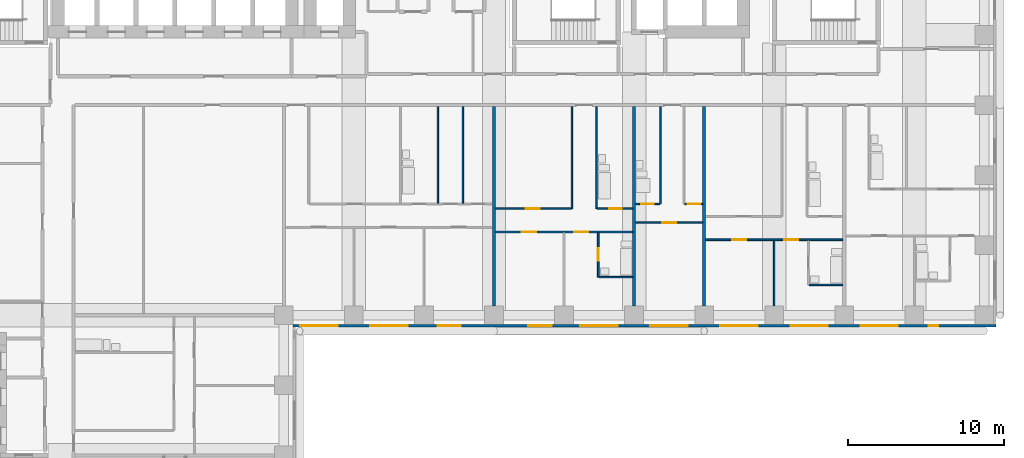
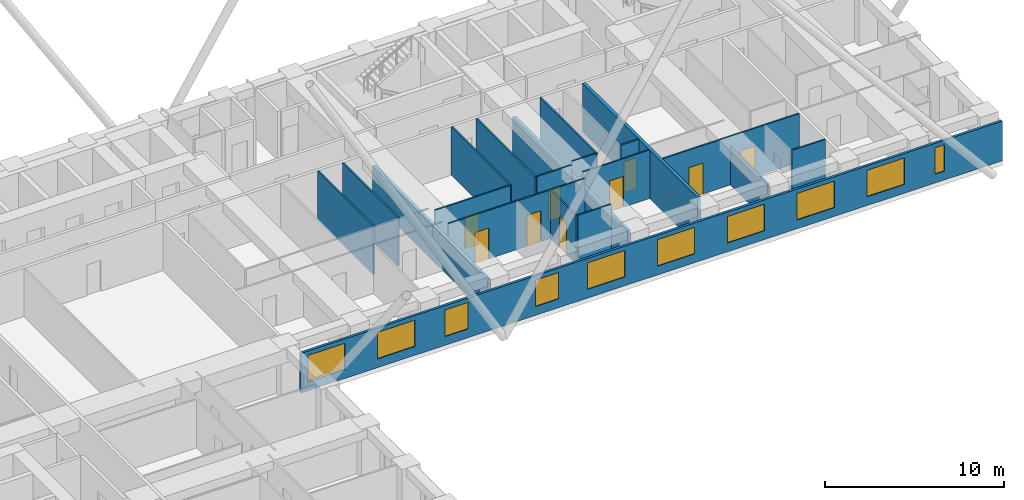
# One storey, part 7 of 13: 20 walls, 10 doors, 10 windows, 20 openings.
"""IFC4 building model written with IfcOpenShell, lengths in metres."""

from ifc_helpers import new_model, si_unit, direction, frame, frame_2d, origin, place, context, subcontext, project, spatial, rectangle, extrude, material, layer, layer_set, type_object, element, fill, save


model = new_model("IFC4")

# Units and contexts
model_context = context("Model", 3, precision=1e-05, world=origin(), true_north=direction((0.0, 1.0)))
body_context = subcontext(model_context, "Body", "Model", "MODEL_VIEW")
ifc_project = project(units=[si_unit("LENGTHUNIT", "METRE"), si_unit("AREAUNIT", "SQUARE_METRE"), si_unit("VOLUMEUNIT", "CUBIC_METRE"), si_unit("PLANEANGLEUNIT", "RADIAN"), si_unit("MASSUNIT", "GRAM", prefix="KILO")], contexts=[model_context])

# Site, building, storey
site_placement = place(None, origin())
site = spatial("IfcSite", under=ifc_project, at=site_placement, CompositionType="ELEMENT")
building_placement = place(site_placement, origin())
building = spatial("IfcBuilding", under=site, at=building_placement, Name="Firuza Court", CompositionType="ELEMENT")
storey_placement = place(building_placement, frame((0.0, 0.0, 72.199951171875)))
storey = spatial("IfcBuildingStorey", under=building, at=storey_placement, Name="L17", CompositionType="ELEMENT", Elevation=72.199951171875)

# Wall
ifc_material_1 = material(Name="Moisture-resistant gypsum board partition")
ifc_layer_1 = layer(ifc_material_1, 0.10009765625)
ifc_layer_set_1 = layer_set([ifc_layer_1], Name="Moisture-resistant gypsum board partition")
wall_type_1 = type_object("IfcWallType", Name="Bathroom partition 100", PredefinedType="PLUMBINGWALL", material=ifc_layer_set_1)
wall_1_placement = place(storey_placement, frame((56.25, 37.949951171875, 0.0), z_axis=(0.0, 0.0, 1.0), x_axis=(1.0, 0.0, 0.0)))
element("IfcWall", 1, at=wall_1_placement, inside=storey, type_object=wall_type_1, Name="Bathroom partition 100 L17", PredefinedType="PLUMBINGWALL", context=body_context, shape_type="SweptSolid", body=[
    extrude(rectangle(XDim=2.14990234375, YDim=0.10009765625, at=frame_2d((1.074951171875, 0.0))), origin(), (0.0, 0.0, 1.0), 3.300048828125),
])

# Wall, opening, door
wall_2_placement = place(storey_placement, frame((42.699951171875, 38.449951171875, 0.0), z_axis=(0.0, 0.0, 1.0), x_axis=(0.0, 1.0, 0.0)))
wall_2 = element("IfcWall", 2, at=wall_2_placement, inside=storey, type_object=wall_type_1, Name="Bathroom partition 100 L17", PredefinedType="PLUMBINGWALL", context=body_context, shape_type="SweptSolid", body=[
    extrude(rectangle(XDim=2.85009765625, YDim=0.10009765625, at=frame_2d((1.425048828125, 0.0))), origin(), (0.0, 0.0, 1.0), 3.300048828125),
])
opening_1_placement = place(wall_2_placement, frame((1.050048828125, 0.0, 0.0)))
opening_1 = element("IfcOpeningElement", 3, at=opening_1_placement, cuts=wall_2, Name="Opening D17046", PredefinedType="OPENING", context=body_context, shape_type="SweptSolid", body=[
    extrude(rectangle(XDim=0.800048828125, YDim=2.10009765625, at=frame_2d((0.39990234375, 1.050048828125))), frame((0.0, 0.06201171875, 0.0), z_axis=(0.0, -1.0, 0.0), x_axis=(1.0, 0.0, 0.0)), (0.0, 0.0, 1.0), 0.1240234375),
])
ifc_material_2 = material(Name="Timber door leaf in hardwood frame", Category="wood")
door_type_1 = type_object("IfcDoorType", Name="Bathroom door 800", OperationType="SINGLE_SWING_LEFT", PredefinedType="DOOR", material=ifc_material_2)
door_1_placement = place(opening_1_placement, frame((0.800048828125, 0.0, 0.0), z_axis=(0.0, 0.0, 1.0), x_axis=(-1.0, 0.0, 0.0)))
door_1 = element("IfcDoor", 4, at=door_1_placement, inside=storey, type_object=door_type_1, Name="En-suite door", OperationType="SINGLE_SWING_RIGHT", OverallHeight=2.10009765625, OverallWidth=0.800048828125, PredefinedType="DOOR", context=body_context, shape_type="SweptSolid", body=[
    extrude(rectangle(XDim=0.800048828125, YDim=2.10009765625, at=frame_2d((0.39990234375, 1.050048828125))), frame((0.0, 0.02490234375, 0.0), z_axis=(0.0, -1.0, 0.0), x_axis=(1.0, 0.0, 0.0)), (0.0, 0.0, 1.0), 0.050048828125),
])
fill(opening_1, door_1)

# Walls
wall_3_placement = place(storey_placement, frame((42.75, 38.449951171875, 0.0), z_axis=(0.0, 0.0, 1.0), x_axis=(1.0, 0.0, 0.0)))
element("IfcWall", 5, at=wall_3_placement, inside=storey, type_object=wall_type_1, Name="Bathroom partition 100 L17", PredefinedType="PLUMBINGWALL", context=body_context, shape_type="SweptSolid", body=[
    extrude(rectangle(XDim=2.14990234375, YDim=0.10009765625, at=frame_2d((1.074951171875, 0.0))), origin(), (0.0, 0.0, 1.0), 3.300048828125),
])
wall_4_placement = place(storey_placement, frame((42.60009765625, 42.85009765625, 0.0), z_axis=(0.0, 0.0, 1.0), x_axis=(0.0, 1.0, 0.0)))
element("IfcWall", 6, at=wall_4_placement, inside=storey, type_object=wall_type_1, Name="Bathroom partition 100 L17", PredefinedType="PLUMBINGWALL", context=body_context, shape_type="SweptSolid", body=[
    extrude(rectangle(XDim=6.5498046875, YDim=0.10009765625, at=frame_2d((3.27490234375, 0.0))), origin(), (0.0, 0.0, 1.0), 3.300048828125),
])
wall_5_placement = place(storey_placement, frame((46.699951171875, 43.14990234375, 0.0), z_axis=(0.0, 0.0, 1.0), x_axis=(0.0, 1.0, 0.0)))
element("IfcWall", 7, at=wall_5_placement, inside=storey, type_object=wall_type_1, Name="Bathroom partition 100 L17", PredefinedType="PLUMBINGWALL", context=body_context, shape_type="SweptSolid", body=[
    extrude(rectangle(XDim=6.25, YDim=0.10009765625, at=frame_2d((3.125, 0.0))), origin(), (0.0, 0.0, 1.0), 3.300048828125),
])
wall_6_placement = place(storey_placement, frame((32.39990234375, 43.199951171875, 0.0), z_axis=(0.0, 0.0, 1.0), x_axis=(0.0, 1.0, 0.0)))
element("IfcWall", 8, at=wall_6_placement, inside=storey, type_object=wall_type_1, Name="Bathroom partition 100 L17", PredefinedType="PLUMBINGWALL", context=body_context, shape_type="SweptSolid", body=[
    extrude(rectangle(XDim=6.199951171875, YDim=0.10009765625, at=frame_2d((3.10009765625, 0.0))), origin(), (0.0, 0.0, 1.0), 3.300048828125),
])
ifc_material_3 = material(Name="Timber stud partition, plasterboard both sides", Category="wood")
ifc_layer_2 = layer(ifc_material_3, 0.10009765625)
ifc_layer_set_2 = layer_set([ifc_layer_2], Name="Timber stud partition, plasterboard both sides")
wall_type_2 = type_object("IfcWallType", Name="Partition wall 100", PredefinedType="PARTITIONING", material=ifc_layer_set_2)
wall_7_placement = place(storey_placement, frame((54.0, 36.60009765625, 0.0), z_axis=(0.0, 0.0, 1.0), x_axis=(0.0, 1.0, 0.0)))
element("IfcWall", 9, at=wall_7_placement, inside=storey, type_object=wall_type_2, Name="Partition wall 100 L17", PredefinedType="PARTITIONING", context=body_context, shape_type="SweptSolid", body=[
    extrude(rectangle(XDim=4.199951171875, YDim=0.10009765625, at=frame_2d((2.10009765625, 0.0))), origin(), (0.0, 0.0, 1.0), 2.60009765625),
])

# Wall, openings, doors
wall_8_placement = place(storey_placement, frame((49.60009765625, 40.85009765625, 0.0), z_axis=(0.0, 0.0, 1.0), x_axis=(1.0, 0.0, 0.0)))
wall_8 = element("IfcWall", 10, at=wall_8_placement, inside=storey, type_object=wall_type_2, Name="Partition wall 100 L17", PredefinedType="PARTITIONING", context=body_context, shape_type="SweptSolid", body=[
    extrude(rectangle(XDim=8.7998046875, YDim=0.10009765625, at=frame_2d((4.39990234375, 0.0))), origin(), (0.0, 0.0, 1.0), 3.300048828125),
])
opening_2_placement = place(wall_8_placement, frame((1.699951171875, 0.0, 0.0)))
opening_2 = element("IfcOpeningElement", 11, at=opening_2_placement, cuts=wall_8, Name="Opening D17047", PredefinedType="OPENING", context=body_context, shape_type="SweptSolid", body=[
    extrude(rectangle(XDim=0.89990234375, YDim=2.10009765625, at=frame_2d((0.449951171875, 1.050048828125))), frame((0.0, 0.06201171875, 0.0), z_axis=(0.0, -1.0, 0.0), x_axis=(1.0, 0.0, 0.0)), (0.0, 0.0, 1.0), 0.1240234375),
])
opening_3_placement = place(wall_8_placement, frame((5.050048828125, 0.0, 0.0)))
opening_3 = element("IfcOpeningElement", 12, at=opening_3_placement, cuts=wall_8, Name="Opening D17048", PredefinedType="OPENING", context=body_context, shape_type="SweptSolid", body=[
    extrude(rectangle(XDim=0.89990234375, YDim=2.10009765625, at=frame_2d((0.449951171875, 1.050048828125))), frame((0.0, 0.06201171875, 0.0), z_axis=(0.0, -1.0, 0.0), x_axis=(1.0, 0.0, 0.0)), (0.0, 0.0, 1.0), 0.1240234375),
])
ifc_material_4 = material(Name="Timber door leaf in hardwood frame", Category="wood")
door_type_2 = type_object("IfcDoorType", Name="Room door 900", OperationType="SINGLE_SWING_LEFT", PredefinedType="DOOR", material=ifc_material_4)
door_2_placement = place(opening_2_placement, frame((0.89990234375, 0.0, 0.0), z_axis=(0.0, 0.0, 1.0), x_axis=(-1.0, 0.0, 0.0)))
door_2 = element("IfcDoor", 13, at=door_2_placement, inside=storey, type_object=door_type_2, Name="Living room door", OperationType="SINGLE_SWING_RIGHT", OverallHeight=2.10009765625, OverallWidth=0.89990234375, PredefinedType="DOOR", context=body_context, shape_type="SweptSolid", body=[
    extrude(rectangle(XDim=0.89990234375, YDim=2.10009765625, at=frame_2d((0.449951171875, 1.050048828125))), frame((0.0, 0.02490234375, 0.0), z_axis=(0.0, -1.0, 0.0), x_axis=(1.0, 0.0, 0.0)), (0.0, 0.0, 1.0), 0.050048828125),
])
fill(opening_2, door_2)
door_3_placement = place(opening_3_placement, frame((0.89990234375, 0.0, 0.0), z_axis=(0.0, 0.0, 1.0), x_axis=(-1.0, 0.0, 0.0)))
door_3 = element("IfcDoor", 14, at=door_3_placement, inside=storey, type_object=door_type_2, Name="Bedroom door", OperationType="SINGLE_SWING_RIGHT", OverallHeight=2.10009765625, OverallWidth=0.89990234375, PredefinedType="DOOR", context=body_context, shape_type="SweptSolid", body=[
    extrude(rectangle(XDim=0.89990234375, YDim=2.10009765625, at=frame_2d((0.449951171875, 1.050048828125))), frame((0.0, 0.02490234375, 0.0), z_axis=(0.0, -1.0, 0.0), x_axis=(1.0, 0.0, 0.0)), (0.0, 0.0, 1.0), 0.050048828125),
])
fill(opening_3, door_3)

wall_9_placement = place(storey_placement, frame((36.10009765625, 41.35009765625, 0.0), z_axis=(0.0, 0.0, 1.0), x_axis=(1.0, 0.0, 0.0)))
wall_9 = element("IfcWall", 15, at=wall_9_placement, inside=storey, type_object=wall_type_2, Name="Partition wall 100 L17", PredefinedType="PARTITIONING", context=body_context, shape_type="SweptSolid", body=[
    extrude(rectangle(XDim=8.7998046875, YDim=0.10009765625, at=frame_2d((4.39990234375, 0.0))), origin(), (0.0, 0.0, 1.0), 3.300048828125),
])
opening_4_placement = place(wall_9_placement, frame((1.699951171875, 0.0, 0.0)))
opening_4 = element("IfcOpeningElement", 16, at=opening_4_placement, cuts=wall_9, Name="Opening D17051", PredefinedType="OPENING", context=body_context, shape_type="SweptSolid", body=[
    extrude(rectangle(XDim=0.89990234375, YDim=2.10009765625, at=frame_2d((0.449951171875, 1.050048828125))), frame((0.0, 0.06201171875, 0.0), z_axis=(0.0, -1.0, 0.0), x_axis=(1.0, 0.0, 0.0)), (0.0, 0.0, 1.0), 0.1240234375),
])
opening_5_placement = place(wall_9_placement, frame((5.050048828125, 0.0, 0.0)))
opening_5 = element("IfcOpeningElement", 17, at=opening_5_placement, cuts=wall_9, Name="Opening D17052", PredefinedType="OPENING", context=body_context, shape_type="SweptSolid", body=[
    extrude(rectangle(XDim=0.89990234375, YDim=2.10009765625, at=frame_2d((0.449951171875, 1.050048828125))), frame((0.0, 0.06201171875, 0.0), z_axis=(0.0, -1.0, 0.0), x_axis=(1.0, 0.0, 0.0)), (0.0, 0.0, 1.0), 0.1240234375),
])
door_4_placement = place(opening_4_placement, frame((0.89990234375, 0.0, 0.0), z_axis=(0.0, 0.0, 1.0), x_axis=(-1.0, 0.0, 0.0)))
door_4 = element("IfcDoor", 18, at=door_4_placement, inside=storey, type_object=door_type_2, Name="Living room door", OperationType="SINGLE_SWING_RIGHT", OverallHeight=2.10009765625, OverallWidth=0.89990234375, PredefinedType="DOOR", context=body_context, shape_type="SweptSolid", body=[
    extrude(rectangle(XDim=0.89990234375, YDim=2.10009765625, at=frame_2d((0.449951171875, 1.050048828125))), frame((0.0, 0.02490234375, 0.0), z_axis=(0.0, -1.0, 0.0), x_axis=(1.0, 0.0, 0.0)), (0.0, 0.0, 1.0), 0.050048828125),
])
fill(opening_4, door_4)
door_5_placement = place(opening_5_placement, frame((0.89990234375, 0.0, 0.0), z_axis=(0.0, 0.0, 1.0), x_axis=(-1.0, 0.0, 0.0)))
door_5 = element("IfcDoor", 19, at=door_5_placement, inside=storey, type_object=door_type_2, Name="Bedroom door", OperationType="SINGLE_SWING_RIGHT", OverallHeight=2.10009765625, OverallWidth=0.89990234375, PredefinedType="DOOR", context=body_context, shape_type="SweptSolid", body=[
    extrude(rectangle(XDim=0.89990234375, YDim=2.10009765625, at=frame_2d((0.449951171875, 1.050048828125))), frame((0.0, 0.02490234375, 0.0), z_axis=(0.0, -1.0, 0.0), x_axis=(1.0, 0.0, 0.0)), (0.0, 0.0, 1.0), 0.050048828125),
])
fill(opening_5, door_5)

# Wall, opening, door
wall_10_placement = place(storey_placement, frame((45.10009765625, 41.949951171875, 0.0), z_axis=(0.0, 0.0, 1.0), x_axis=(1.0, 0.0, 0.0)))
wall_10 = element("IfcWall", 20, at=wall_10_placement, inside=storey, type_object=wall_type_2, Name="Partition wall 100 L17", PredefinedType="PARTITIONING", context=body_context, shape_type="SweptSolid", body=[
    extrude(rectangle(XDim=4.2998046875, YDim=0.10009765625, at=frame_2d((2.14990234375, 0.0))), origin(), (0.0, 0.0, 1.0), 3.300048828125),
])
opening_6_placement = place(wall_10_placement, frame((1.699951171875, 0.0, 0.0)))
opening_6 = element("IfcOpeningElement", 21, at=opening_6_placement, cuts=wall_10, Name="Opening D17056", PredefinedType="OPENING", context=body_context, shape_type="SweptSolid", body=[
    extrude(rectangle(XDim=0.89990234375, YDim=2.10009765625, at=frame_2d((0.449951171875, 1.050048828125))), frame((0.0, 0.06201171875, 0.0), z_axis=(0.0, -1.0, 0.0), x_axis=(1.0, 0.0, 0.0)), (0.0, 0.0, 1.0), 0.1240234375),
])
door_6_placement = place(opening_6_placement, frame((0.89990234375, 0.0, 0.0), z_axis=(0.0, 0.0, 1.0), x_axis=(-1.0, 0.0, 0.0)))
door_6 = element("IfcDoor", 22, at=door_6_placement, inside=storey, type_object=door_type_2, Name="Studio room door", OperationType="SINGLE_SWING_RIGHT", OverallHeight=2.10009765625, OverallWidth=0.89990234375, PredefinedType="DOOR", context=body_context, shape_type="SweptSolid", body=[
    extrude(rectangle(XDim=0.89990234375, YDim=2.10009765625, at=frame_2d((0.449951171875, 1.050048828125))), frame((0.0, 0.02490234375, 0.0), z_axis=(0.0, -1.0, 0.0), x_axis=(1.0, 0.0, 0.0)), (0.0, 0.0, 1.0), 0.050048828125),
])
fill(opening_6, door_6)

wall_11_placement = place(storey_placement, frame((36.10009765625, 42.85009765625, 0.0), z_axis=(0.0, 0.0, 1.0), x_axis=(1.0, 0.0, 0.0)))
wall_11 = element("IfcWall", 23, at=wall_11_placement, inside=storey, type_object=wall_type_2, Name="Partition wall 100 L17", PredefinedType="PARTITIONING", context=body_context, shape_type="SweptSolid", body=[
    extrude(rectangle(XDim=4.849853515625, YDim=0.10009765625, at=frame_2d((2.4248046875, 0.0))), origin(), (0.0, 0.0, 1.0), 3.300048828125),
])
opening_7_placement = place(wall_11_placement, frame((1.949951171875, 0.0, 0.0)))
opening_7 = element("IfcOpeningElement", 24, at=opening_7_placement, cuts=wall_11, Name="Opening D17059", PredefinedType="OPENING", context=body_context, shape_type="SweptSolid", body=[
    extrude(rectangle(XDim=0.89990234375, YDim=2.10009765625, at=frame_2d((0.449951171875, 1.050048828125))), frame((0.0, 0.06201171875, 0.0), z_axis=(0.0, -1.0, 0.0), x_axis=(1.0, 0.0, 0.0)), (0.0, 0.0, 1.0), 0.1240234375),
])
door_7_placement = place(opening_7_placement, origin())
door_7 = element("IfcDoor", 25, at=door_7_placement, inside=storey, type_object=door_type_2, Name="Kitchen door", OperationType="SINGLE_SWING_LEFT", OverallHeight=2.10009765625, OverallWidth=0.89990234375, PredefinedType="DOOR", context=body_context, shape_type="SweptSolid", body=[
    extrude(rectangle(XDim=0.89990234375, YDim=2.10009765625, at=frame_2d((0.449951171875, 1.050048828125))), frame((0.0, 0.02490234375, 0.0), z_axis=(0.0, -1.0, 0.0), x_axis=(1.0, 0.0, 0.0)), (0.0, 0.0, 1.0), 0.050048828125),
])
fill(opening_7, door_7)

# Wall
wall_12_placement = place(storey_placement, frame((41.0, 42.85009765625, 0.0), z_axis=(0.0, 0.0, 1.0), x_axis=(0.0, 1.0, 0.0)))
element("IfcWall", 26, at=wall_12_placement, inside=storey, type_object=wall_type_2, Name="Partition wall 100 L17", PredefinedType="PARTITIONING", context=body_context, shape_type="SweptSolid", body=[
    extrude(rectangle(XDim=6.5498046875, YDim=0.10009765625, at=frame_2d((3.27490234375, 0.0))), origin(), (0.0, 0.0, 1.0), 3.300048828125),
])

# Wall, opening, door
wall_13_placement = place(storey_placement, frame((42.64990234375, 42.85009765625, 0.0), z_axis=(0.0, 0.0, 1.0), x_axis=(1.0, 0.0, 0.0)))
wall_13 = element("IfcWall", 27, at=wall_13_placement, inside=storey, type_object=wall_type_2, Name="Partition wall 100 L17", PredefinedType="PARTITIONING", context=body_context, shape_type="SweptSolid", body=[
    extrude(rectangle(XDim=2.25, YDim=0.10009765625, at=frame_2d((1.125, 0.0))), origin(), (0.0, 0.0, 1.0), 3.300048828125),
])
opening_8_placement = place(wall_13_placement, frame((0.75, 0.0, 0.0)))
opening_8 = element("IfcOpeningElement", 28, at=opening_8_placement, cuts=wall_13, Name="Opening D17060", PredefinedType="OPENING", context=body_context, shape_type="SweptSolid", body=[
    extrude(rectangle(XDim=0.800048828125, YDim=2.10009765625, at=frame_2d((0.39990234375, 1.050048828125))), frame((0.0, 0.06201171875, 0.0), z_axis=(0.0, -1.0, 0.0), x_axis=(1.0, 0.0, 0.0)), (0.0, 0.0, 1.0), 0.1240234375),
])
door_8_placement = place(opening_8_placement, origin())
door_8 = element("IfcDoor", 29, at=door_8_placement, inside=storey, type_object=door_type_1, Name="Bathroom door", OperationType="SINGLE_SWING_LEFT", OverallHeight=2.10009765625, OverallWidth=0.800048828125, PredefinedType="DOOR", context=body_context, shape_type="SweptSolid", body=[
    extrude(rectangle(XDim=0.800048828125, YDim=2.10009765625, at=frame_2d((0.39990234375, 1.050048828125))), frame((0.0, 0.02490234375, 0.0), z_axis=(0.0, -1.0, 0.0), x_axis=(1.0, 0.0, 0.0)), (0.0, 0.0, 1.0), 0.050048828125),
])
fill(opening_8, door_8)

wall_14_placement = place(storey_placement, frame((45.10009765625, 43.14990234375, 0.0), z_axis=(0.0, 0.0, 1.0), x_axis=(1.0, 0.0, 0.0)))
wall_14 = element("IfcWall", 30, at=wall_14_placement, inside=storey, type_object=wall_type_2, Name="Partition wall 100 L17", PredefinedType="PARTITIONING", context=body_context, shape_type="SweptSolid", body=[
    extrude(rectangle(XDim=1.5498046875, YDim=0.10009765625, at=frame_2d((0.77490234375, 0.0))), origin(), (0.0, 0.0, 1.0), 3.300048828125),
])
opening_9_placement = place(wall_14_placement, frame((0.35009765625, 0.0, 0.0)))
opening_9 = element("IfcOpeningElement", 31, at=opening_9_placement, cuts=wall_14, Name="Opening D17065", PredefinedType="OPENING", context=body_context, shape_type="SweptSolid", body=[
    extrude(rectangle(XDim=0.800048828125, YDim=2.10009765625, at=frame_2d((0.39990234375, 1.050048828125))), frame((0.0, 0.06201171875, 0.0), z_axis=(0.0, -1.0, 0.0), x_axis=(1.0, 0.0, 0.0)), (0.0, 0.0, 1.0), 0.1240234375),
])
door_9_placement = place(opening_9_placement, origin())
door_9 = element("IfcDoor", 32, at=door_9_placement, inside=storey, type_object=door_type_1, Name="Bathroom door", OperationType="SINGLE_SWING_LEFT", OverallHeight=2.10009765625, OverallWidth=0.800048828125, PredefinedType="DOOR", context=body_context, shape_type="SweptSolid", body=[
    extrude(rectangle(XDim=0.800048828125, YDim=2.10009765625, at=frame_2d((0.39990234375, 1.050048828125))), frame((0.0, 0.02490234375, 0.0), z_axis=(0.0, -1.0, 0.0), x_axis=(1.0, 0.0, 0.0)), (0.0, 0.0, 1.0), 0.050048828125),
])
fill(opening_9, door_9)

wall_15_placement = place(storey_placement, frame((48.25, 43.14990234375, 0.0), z_axis=(0.0, 0.0, 1.0), x_axis=(1.0, 0.0, 0.0)))
wall_15 = element("IfcWall", 33, at=wall_15_placement, inside=storey, type_object=wall_type_2, Name="Partition wall 100 L17", PredefinedType="PARTITIONING", context=body_context, shape_type="SweptSolid", body=[
    extrude(rectangle(XDim=1.14990234375, YDim=0.10009765625, at=frame_2d((0.574951171875, 0.0))), origin(), (0.0, 0.0, 1.0), 3.300048828125),
])
opening_10_placement = place(wall_15_placement, frame((0.199951171875, 0.0, 0.0)))
opening_10 = element("IfcOpeningElement", 34, at=opening_10_placement, cuts=wall_15, Name="Opening D17066", PredefinedType="OPENING", context=body_context, shape_type="SweptSolid", body=[
    extrude(rectangle(XDim=0.800048828125, YDim=2.10009765625, at=frame_2d((0.39990234375, 1.050048828125))), frame((0.0, 0.06201171875, 0.0), z_axis=(0.0, -1.0, 0.0), x_axis=(1.0, 0.0, 0.0)), (0.0, 0.0, 1.0), 0.1240234375),
])
ifc_material_5 = material(Name="Timber door leaf in hardwood frame", Category="wood")
door_type_3 = type_object("IfcDoorType", Name="Room door 800", OperationType="SINGLE_SWING_LEFT", PredefinedType="DOOR", material=ifc_material_5)
door_10_placement = place(opening_10_placement, origin())
door_10 = element("IfcDoor", 35, at=door_10_placement, inside=storey, type_object=door_type_3, Name="Kitchen door", OperationType="SINGLE_SWING_LEFT", OverallHeight=2.10009765625, OverallWidth=0.800048828125, PredefinedType="DOOR", context=body_context, shape_type="SweptSolid", body=[
    extrude(rectangle(XDim=0.800048828125, YDim=2.10009765625, at=frame_2d((0.39990234375, 1.050048828125))), frame((0.0, 0.02490234375, 0.0), z_axis=(0.0, -1.0, 0.0), x_axis=(1.0, 0.0, 0.0)), (0.0, 0.0, 1.0), 0.050048828125),
])
fill(opening_10, door_10)

# Walls
wall_16_placement = place(storey_placement, frame((34.0, 43.199951171875, 0.0), z_axis=(0.0, 0.0, 1.0), x_axis=(0.0, 1.0, 0.0)))
element("IfcWall", 36, at=wall_16_placement, inside=storey, type_object=wall_type_2, Name="Partition wall 100 L17", PredefinedType="PARTITIONING", context=body_context, shape_type="SweptSolid", body=[
    extrude(rectangle(XDim=6.199951171875, YDim=0.10009765625, at=frame_2d((3.10009765625, 0.0))), origin(), (0.0, 0.0, 1.0), 3.300048828125),
])
ifc_material_6 = material(Name="Blockwork, plastered both sides", Category="masonry")
ifc_layer_3 = layer(ifc_material_6, 0.199951171875)
ifc_layer_set_3 = layer_set([ifc_layer_3], Name="Blockwork, plastered both sides")
wall_type_3 = type_object("IfcWallType", Name="Party wall 200", PredefinedType="PARTITIONING", material=ifc_layer_set_3)
wall_17_placement = place(storey_placement, frame((36.0, 36.60009765625, 0.0), z_axis=(0.0, 0.0, 1.0), x_axis=(0.0, 1.0, 0.0)))
element("IfcWall", 37, at=wall_17_placement, inside=storey, type_object=wall_type_3, Name="Party wall 200 L17", PredefinedType="PARTITIONING", context=body_context, shape_type="SweptSolid", body=[
    extrude(rectangle(XDim=12.7998046875, YDim=0.199951171875, at=frame_2d((6.39990234375, 0.0))), origin(), (0.0, 0.0, 1.0), 2.400146484375),
])
wall_18_placement = place(storey_placement, frame((45.0, 36.60009765625, 0.0), z_axis=(0.0, 0.0, 1.0), x_axis=(0.0, 1.0, 0.0)))
element("IfcWall", 38, at=wall_18_placement, inside=storey, type_object=wall_type_3, Name="Party wall 200 L17", PredefinedType="PARTITIONING", context=body_context, shape_type="SweptSolid", body=[
    extrude(rectangle(XDim=12.7998046875, YDim=0.199951171875, at=frame_2d((6.39990234375, 0.0))), origin(), (0.0, 0.0, 1.0), 2.60009765625),
])
wall_19_placement = place(storey_placement, frame((49.5, 36.60009765625, 0.0), z_axis=(0.0, 0.0, 1.0), x_axis=(0.0, 1.0, 0.0)))
element("IfcWall", 39, at=wall_19_placement, inside=storey, type_object=wall_type_3, Name="Party wall 200 L17", PredefinedType="PARTITIONING", context=body_context, shape_type="SweptSolid", body=[
    extrude(rectangle(XDim=12.7998046875, YDim=0.199951171875, at=frame_2d((6.39990234375, 0.0))), origin(), (0.0, 0.0, 1.0), 3.300048828125),
])

# Wall, openings, windows
ifc_material_7 = material(Name="Ceramic tile", Category="ceramic")
ifc_layer_4 = layer(ifc_material_7, 0.02001953125)
ifc_material_8 = material(Name="Mineral wool insulation", Category="insulation")
ifc_layer_5 = layer(ifc_material_8, 0.050048828125)
ifc_material_9 = material(Name="Concrete C40/50 precast", Category="concrete")
ifc_layer_6 = layer(ifc_material_9, 0.080078125)
ifc_layer_set_4 = layer_set([ifc_layer_4, ifc_layer_5, ifc_layer_6], Name="Concrete C40/50 precast")
wall_type_4 = type_object("IfcWallType", Name="Precast cladding wall with turquoise TILE PANEL face 150", PredefinedType="STANDARD", material=ifc_layer_set_4)
wall_20_placement = place(storey_placement, frame((23.10009765625, 35.324951171875, 0.0), z_axis=(0.0, 0.0, 1.0), x_axis=(1.0, 0.0, 0.0)))
wall_20 = element("IfcWall", 40, at=wall_20_placement, inside=storey, type_object=wall_type_4, Name="Facade wall L17 S", PredefinedType="STANDARD", context=body_context, shape_type="SweptSolid", body=[
    extrude(rectangle(XDim=45.14990234375, YDim=0.14990234375, at=frame_2d((22.574951171875, 0.0))), origin(), (0.0, 0.0, 1.0), 2.699951171875),
])
opening_11_placement = place(wall_20_placement, frame((0.449951171875, 0.0, 0.60009765625)))
opening_11 = element("IfcOpeningElement", 41, at=opening_11_placement, cuts=wall_20, Name="Opening W1", PredefinedType="OPENING", context=body_context, shape_type="SweptSolid", body=[
    extrude(rectangle(XDim=2.39990234375, YDim=1.800048828125, at=frame_2d((1.199951171875, 0.89990234375))), frame((0.0, 0.0869140625, 0.0), z_axis=(0.0, -1.0, 0.0), x_axis=(1.0, 0.0, 0.0)), (0.0, 0.0, 1.0), 0.173828125),
])
opening_12_placement = place(wall_20_placement, frame((4.949951171875, 0.0, 0.60009765625)))
opening_12 = element("IfcOpeningElement", 42, at=opening_12_placement, cuts=wall_20, Name="Opening W1", PredefinedType="OPENING", context=body_context, shape_type="SweptSolid", body=[
    extrude(rectangle(XDim=2.39990234375, YDim=1.800048828125, at=frame_2d((1.199951171875, 0.89990234375))), frame((0.0, 0.0869140625, 0.0), z_axis=(0.0, -1.0, 0.0), x_axis=(1.0, 0.0, 0.0)), (0.0, 0.0, 1.0), 0.173828125),
])
opening_13_placement = place(wall_20_placement, frame((9.275390625, 0.0, 0.60009765625)))
opening_13 = element("IfcOpeningElement", 43, at=opening_13_placement, cuts=wall_20, Name="Opening W2", PredefinedType="OPENING", context=body_context, shape_type="SweptSolid", body=[
    extrude(rectangle(XDim=1.5, YDim=1.800048828125, at=frame_2d((0.75, 0.89990234375))), frame((0.0, 0.0869140625, 0.0), z_axis=(0.0, -1.0, 0.0), x_axis=(1.0, 0.0, 0.0)), (0.0, 0.0, 1.0), 0.173828125),
])
opening_14_placement = place(wall_20_placement, frame((15.0966796875, 0.0, 0.60009765625)))
opening_14 = element("IfcOpeningElement", 44, at=opening_14_placement, cuts=wall_20, Name="Opening W2", PredefinedType="OPENING", context=body_context, shape_type="SweptSolid", body=[
    extrude(rectangle(XDim=1.5, YDim=1.800048828125, at=frame_2d((0.75, 0.89990234375))), frame((0.0, 0.0869140625, 0.0), z_axis=(0.0, -1.0, 0.0), x_axis=(1.0, 0.0, 0.0)), (0.0, 0.0, 1.0), 0.173828125),
])
opening_15_placement = place(wall_20_placement, frame((18.449951171875, 0.0, 0.60009765625)))
opening_15 = element("IfcOpeningElement", 45, at=opening_15_placement, cuts=wall_20, Name="Opening W1", PredefinedType="OPENING", context=body_context, shape_type="SweptSolid", body=[
    extrude(rectangle(XDim=2.39990234375, YDim=1.800048828125, at=frame_2d((1.199951171875, 0.89990234375))), frame((0.0, 0.0869140625, 0.0), z_axis=(0.0, -1.0, 0.0), x_axis=(1.0, 0.0, 0.0)), (0.0, 0.0, 1.0), 0.173828125),
])
opening_16_placement = place(wall_20_placement, frame((22.949951171875, 0.0, 0.60009765625)))
opening_16 = element("IfcOpeningElement", 46, at=opening_16_placement, cuts=wall_20, Name="Opening W1", PredefinedType="OPENING", context=body_context, shape_type="SweptSolid", body=[
    extrude(rectangle(XDim=2.39990234375, YDim=1.800048828125, at=frame_2d((1.199951171875, 0.89990234375))), frame((0.0, 0.0869140625, 0.0), z_axis=(0.0, -1.0, 0.0), x_axis=(1.0, 0.0, 0.0)), (0.0, 0.0, 1.0), 0.173828125),
])
opening_17_placement = place(wall_20_placement, frame((27.449951171875, 0.0, 0.60009765625)))
opening_17 = element("IfcOpeningElement", 47, at=opening_17_placement, cuts=wall_20, Name="Opening W1", PredefinedType="OPENING", context=body_context, shape_type="SweptSolid", body=[
    extrude(rectangle(XDim=2.39990234375, YDim=1.800048828125, at=frame_2d((1.199951171875, 0.89990234375))), frame((0.0, 0.0869140625, 0.0), z_axis=(0.0, -1.0, 0.0), x_axis=(1.0, 0.0, 0.0)), (0.0, 0.0, 1.0), 0.173828125),
])
opening_18_placement = place(wall_20_placement, frame((31.949951171875, 0.0, 0.60009765625)))
opening_18 = element("IfcOpeningElement", 48, at=opening_18_placement, cuts=wall_20, Name="Opening W1", PredefinedType="OPENING", context=body_context, shape_type="SweptSolid", body=[
    extrude(rectangle(XDim=2.39990234375, YDim=1.800048828125, at=frame_2d((1.199951171875, 0.89990234375))), frame((0.0, 0.0869140625, 0.0), z_axis=(0.0, -1.0, 0.0), x_axis=(1.0, 0.0, 0.0)), (0.0, 0.0, 1.0), 0.173828125),
])
opening_19_placement = place(wall_20_placement, frame((36.449951171875, 0.0, 0.60009765625)))
opening_19 = element("IfcOpeningElement", 49, at=opening_19_placement, cuts=wall_20, Name="Opening W1", PredefinedType="OPENING", context=body_context, shape_type="SweptSolid", body=[
    extrude(rectangle(XDim=2.39990234375, YDim=1.800048828125, at=frame_2d((1.199951171875, 0.89990234375))), frame((0.0, 0.0869140625, 0.0), z_axis=(0.0, -1.0, 0.0), x_axis=(1.0, 0.0, 0.0)), (0.0, 0.0, 1.0), 0.173828125),
])
opening_20_placement = place(wall_20_placement, frame((40.83056640625, 0.0, 0.60009765625)))
opening_20 = element("IfcOpeningElement", 50, at=opening_20_placement, cuts=wall_20, Name="Opening W4", PredefinedType="OPENING", context=body_context, shape_type="SweptSolid", body=[
    extrude(rectangle(XDim=0.60009765625, YDim=1.800048828125, at=frame_2d((0.300048828125, 0.89990234375))), frame((0.0, 0.0869140625, 0.0), z_axis=(0.0, -1.0, 0.0), x_axis=(1.0, 0.0, 0.0)), (0.0, 0.0, 1.0), 0.173828125),
])
ifc_material_10 = material(Name="Aluminium frame, triple clear glazing", Category="aluminium")
window_type_1 = type_object("IfcWindowType", Name="Window W1 2400 x 1800", PartitioningType="SINGLE_PANEL", PredefinedType="WINDOW", material=ifc_material_10)
window_1_placement = place(opening_11_placement, origin())
window_1 = element("IfcWindow", 51, at=window_1_placement, inside=storey, type_object=window_type_1, Name="Window L17", OverallHeight=1.800048828125, OverallWidth=2.39990234375, PartitioningType="SINGLE_PANEL", PredefinedType="WINDOW", context=body_context, shape_type="SweptSolid", body=[
    extrude(rectangle(XDim=2.39990234375, YDim=1.800048828125, at=frame_2d((1.199951171875, 0.89990234375))), frame((0.0, 0.030029296875, 0.0), z_axis=(0.0, -1.0, 0.0), x_axis=(1.0, 0.0, 0.0)), (0.0, 0.0, 1.0), 0.06005859375),
])
fill(opening_11, window_1)
window_2_placement = place(opening_12_placement, origin())
window_2 = element("IfcWindow", 52, at=window_2_placement, inside=storey, type_object=window_type_1, Name="Window L17", OverallHeight=1.800048828125, OverallWidth=2.39990234375, PartitioningType="SINGLE_PANEL", PredefinedType="WINDOW", context=body_context, shape_type="SweptSolid", body=[
    extrude(rectangle(XDim=2.39990234375, YDim=1.800048828125, at=frame_2d((1.199951171875, 0.89990234375))), frame((0.0, 0.030029296875, 0.0), z_axis=(0.0, -1.0, 0.0), x_axis=(1.0, 0.0, 0.0)), (0.0, 0.0, 1.0), 0.06005859375),
])
fill(opening_12, window_2)
window_3_placement = place(opening_15_placement, origin())
window_3 = element("IfcWindow", 53, at=window_3_placement, inside=storey, type_object=window_type_1, Name="Window L17", OverallHeight=1.800048828125, OverallWidth=2.39990234375, PartitioningType="SINGLE_PANEL", PredefinedType="WINDOW", context=body_context, shape_type="SweptSolid", body=[
    extrude(rectangle(XDim=2.39990234375, YDim=1.800048828125, at=frame_2d((1.199951171875, 0.89990234375))), frame((0.0, 0.030029296875, 0.0), z_axis=(0.0, -1.0, 0.0), x_axis=(1.0, 0.0, 0.0)), (0.0, 0.0, 1.0), 0.06005859375),
])
fill(opening_15, window_3)
window_4_placement = place(opening_16_placement, origin())
window_4 = element("IfcWindow", 54, at=window_4_placement, inside=storey, type_object=window_type_1, Name="Window L17", OverallHeight=1.800048828125, OverallWidth=2.39990234375, PartitioningType="SINGLE_PANEL", PredefinedType="WINDOW", context=body_context, shape_type="SweptSolid", body=[
    extrude(rectangle(XDim=2.39990234375, YDim=1.800048828125, at=frame_2d((1.199951171875, 0.89990234375))), frame((0.0, 0.030029296875, 0.0), z_axis=(0.0, -1.0, 0.0), x_axis=(1.0, 0.0, 0.0)), (0.0, 0.0, 1.0), 0.06005859375),
])
fill(opening_16, window_4)
window_5_placement = place(opening_17_placement, origin())
window_5 = element("IfcWindow", 55, at=window_5_placement, inside=storey, type_object=window_type_1, Name="Window L17", OverallHeight=1.800048828125, OverallWidth=2.39990234375, PartitioningType="SINGLE_PANEL", PredefinedType="WINDOW", context=body_context, shape_type="SweptSolid", body=[
    extrude(rectangle(XDim=2.39990234375, YDim=1.800048828125, at=frame_2d((1.199951171875, 0.89990234375))), frame((0.0, 0.030029296875, 0.0), z_axis=(0.0, -1.0, 0.0), x_axis=(1.0, 0.0, 0.0)), (0.0, 0.0, 1.0), 0.06005859375),
])
fill(opening_17, window_5)
window_6_placement = place(opening_18_placement, origin())
window_6 = element("IfcWindow", 56, at=window_6_placement, inside=storey, type_object=window_type_1, Name="Window L17", OverallHeight=1.800048828125, OverallWidth=2.39990234375, PartitioningType="SINGLE_PANEL", PredefinedType="WINDOW", context=body_context, shape_type="SweptSolid", body=[
    extrude(rectangle(XDim=2.39990234375, YDim=1.800048828125, at=frame_2d((1.199951171875, 0.89990234375))), frame((0.0, 0.030029296875, 0.0), z_axis=(0.0, -1.0, 0.0), x_axis=(1.0, 0.0, 0.0)), (0.0, 0.0, 1.0), 0.06005859375),
])
fill(opening_18, window_6)
window_7_placement = place(opening_19_placement, origin())
window_7 = element("IfcWindow", 57, at=window_7_placement, inside=storey, type_object=window_type_1, Name="Window L17", OverallHeight=1.800048828125, OverallWidth=2.39990234375, PartitioningType="SINGLE_PANEL", PredefinedType="WINDOW", context=body_context, shape_type="SweptSolid", body=[
    extrude(rectangle(XDim=2.39990234375, YDim=1.800048828125, at=frame_2d((1.199951171875, 0.89990234375))), frame((0.0, 0.030029296875, 0.0), z_axis=(0.0, -1.0, 0.0), x_axis=(1.0, 0.0, 0.0)), (0.0, 0.0, 1.0), 0.06005859375),
])
fill(opening_19, window_7)
ifc_material_11 = material(Name="Aluminium frame, triple clear glazing", Category="aluminium")
window_type_2 = type_object("IfcWindowType", Name="Window W2 1500 x 1800", PartitioningType="SINGLE_PANEL", PredefinedType="WINDOW", material=ifc_material_11)
window_8_placement = place(opening_13_placement, origin())
window_8 = element("IfcWindow", 58, at=window_8_placement, inside=storey, type_object=window_type_2, Name="Window L17", OverallHeight=1.800048828125, OverallWidth=1.5, PartitioningType="SINGLE_PANEL", PredefinedType="WINDOW", context=body_context, shape_type="SweptSolid", body=[
    extrude(rectangle(XDim=1.5, YDim=1.800048828125, at=frame_2d((0.75, 0.89990234375))), frame((0.0, 0.030029296875, 0.0), z_axis=(0.0, -1.0, 0.0), x_axis=(1.0, 0.0, 0.0)), (0.0, 0.0, 1.0), 0.06005859375),
])
fill(opening_13, window_8)
window_9_placement = place(opening_14_placement, origin())
window_9 = element("IfcWindow", 59, at=window_9_placement, inside=storey, type_object=window_type_2, Name="Window L17", OverallHeight=1.800048828125, OverallWidth=1.5, PartitioningType="SINGLE_PANEL", PredefinedType="WINDOW", context=body_context, shape_type="SweptSolid", body=[
    extrude(rectangle(XDim=1.5, YDim=1.800048828125, at=frame_2d((0.75, 0.89990234375))), frame((0.0, 0.030029296875, 0.0), z_axis=(0.0, -1.0, 0.0), x_axis=(1.0, 0.0, 0.0)), (0.0, 0.0, 1.0), 0.06005859375),
])
fill(opening_14, window_9)
ifc_material_12 = material(Name="Aluminium frame, triple clear glazing", Category="aluminium")
window_type_3 = type_object("IfcWindowType", Name="Window W4 600 x 1800", PartitioningType="SINGLE_PANEL", PredefinedType="WINDOW", material=ifc_material_12)
window_10_placement = place(opening_20_placement, origin())
window_10 = element("IfcWindow", 60, at=window_10_placement, inside=storey, type_object=window_type_3, Name="Window L17", OverallHeight=1.800048828125, OverallWidth=0.60009765625, PartitioningType="SINGLE_PANEL", PredefinedType="WINDOW", context=body_context, shape_type="SweptSolid", body=[
    extrude(rectangle(XDim=0.60009765625, YDim=1.800048828125, at=frame_2d((0.300048828125, 0.89990234375))), frame((0.0, 0.030029296875, 0.0), z_axis=(0.0, -1.0, 0.0), x_axis=(1.0, 0.0, 0.0)), (0.0, 0.0, 1.0), 0.06005859375),
])
fill(opening_20, window_10)

save(model, "model.ifc")
